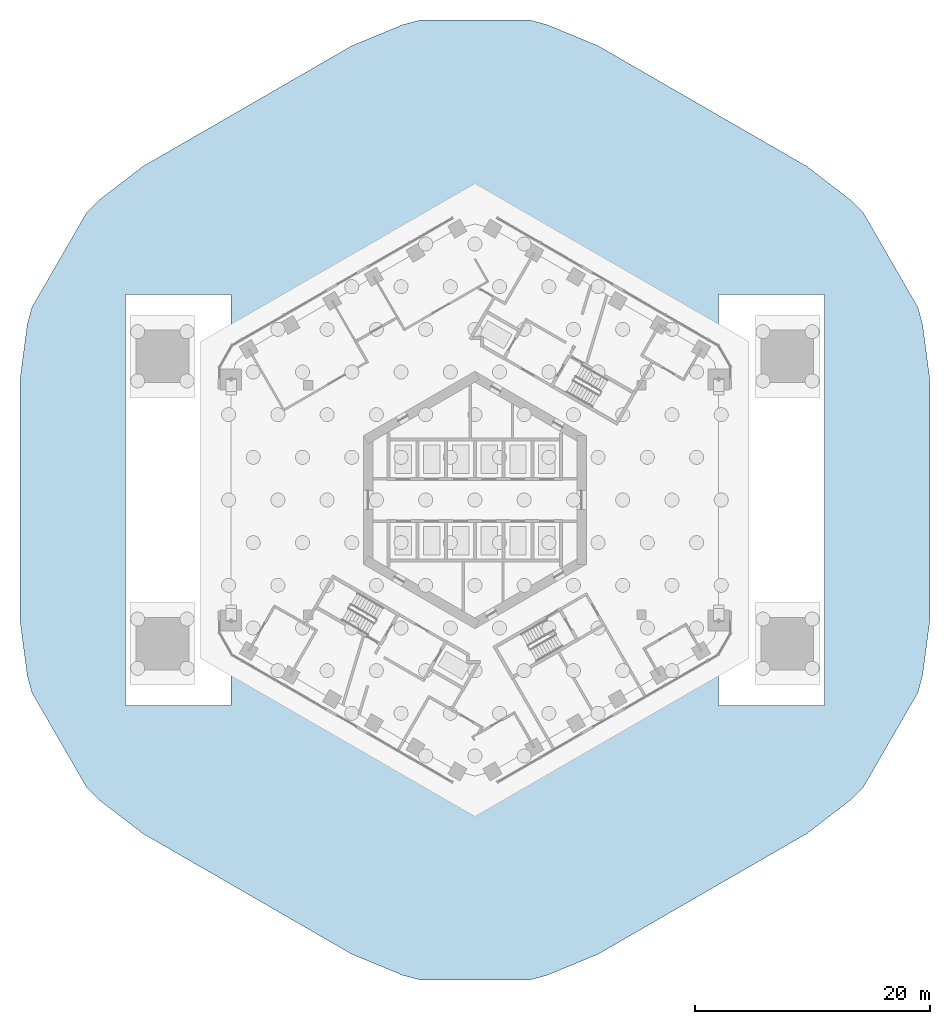
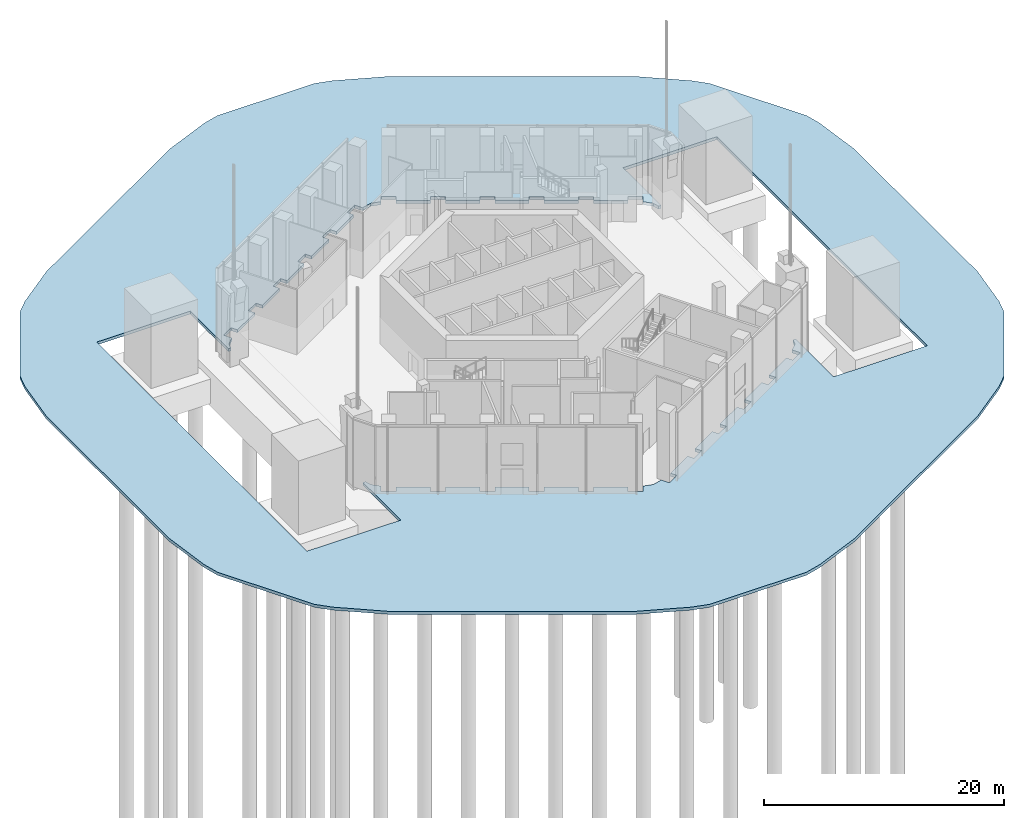
# One storey, part 7 of 18: 1 slab.
"""IFC4 building model written with IfcOpenShell, lengths in metres."""

from ifc_helpers import new_model, si_unit, direction, frame, origin, place, context, subcontext, project, spatial, polyline, outline, extrude, material, layer, layer_set, type_object, element, save


model = new_model("IFC4")

# Units and contexts
model_context = context("Model", 3, precision=1e-05, world=origin(), true_north=direction((0.0, 1.0)))
body_context = subcontext(model_context, "Body", "Model", "MODEL_VIEW")
ifc_project = project(units=[si_unit("LENGTHUNIT", "METRE"), si_unit("AREAUNIT", "SQUARE_METRE"), si_unit("VOLUMEUNIT", "CUBIC_METRE"), si_unit("PLANEANGLEUNIT", "RADIAN"), si_unit("MASSUNIT", "GRAM", prefix="KILO")], contexts=[model_context])

# Site, building, storey
site_placement = place(None, origin())
site = spatial("IfcSite", under=ifc_project, at=site_placement, CompositionType="ELEMENT")
building_placement = place(site_placement, origin())
building = spatial("IfcBuilding", under=site, at=building_placement, Name="Ayvan Gate Tower", CompositionType="ELEMENT")
storey_placement = place(building_placement, origin())
storey = spatial("IfcBuildingStorey", under=building, at=storey_placement, Name="L00", CompositionType="ELEMENT", Elevation=0.0)

# Slab
ifc_material = material(Name="Concrete C30/37 paving", Category="concrete")
ifc_layer = layer(ifc_material, 0.300048828125)
ifc_layer_set = layer_set([ifc_layer], Name="Concrete C30/37 paving")
slab_type = type_object("IfcSlabType", Name="Paving slab 300", PredefinedType="USERDEFINED", material=ifc_layer_set)
slab_placement = place(storey_placement, frame((0.0, 0.0, -0.300048828125)))
element("IfcSlab", 1, at=slab_placement, inside=storey, type_object=slab_type, Name="Plaza and concourse paving", ObjectType="PAVING", PredefinedType="USERDEFINED", context=body_context, shape_type="SweptSolid", body=[
    extrude(outline(polyline([(37.769287109375, 16.4267578125), (33.110595703125, 24.495849609375), (32.012451171875, 25.593994140625), (28.28466796875, 28.45458984375), (10.5, 38.722412109375), (6.15869140625, 40.520751953125), (4.65869140625, 40.922607421875), (-4.65869140625, 40.922607421875), (-6.15869140625, 40.520751953125), (-10.5, 38.722412109375), (-28.28466796875, 28.45458984375), (-32.012451171875, 25.593994140625), (-33.110595703125, 24.495849609375), (-37.769287109375, 16.4267578125), (-38.17138671875, 14.9267578125), (-38.78466796875, 10.26806640625), (-38.78466796875, -10.26806640625), (-38.17138671875, -14.9267578125), (-37.769287109375, -16.4267578125), (-33.110595703125, -24.495849609375), (-32.012451171875, -25.593994140625), (-28.28466796875, -28.45458984375), (-10.5, -38.722412109375), (-6.15869140625, -40.520751953125), (-4.65869140625, -40.922607421875), (4.65869140625, -40.922607421875), (6.15869140625, -40.520751953125), (10.5, -38.722412109375), (28.28466796875, -28.45458984375), (32.012451171875, -25.593994140625), (33.110595703125, -24.495849609375), (37.769287109375, -16.4267578125), (38.17138671875, -14.9267578125), (38.78466796875, -10.26806640625), (38.78466796875, 10.26806640625), (38.17138671875, 14.9267578125), (37.769287109375, 16.4267578125)]), holes=[polyline([(-1.26318359375, 23.963623046875), (-1.26416015625, 23.96533203125), (-1.265380859375, 23.966796875), (-1.2666015625, 23.96826171875), (-1.268310546875, 23.969482421875), (-1.269775390625, 23.970458984375), (-1.271484375, 23.971435546875), (-1.2734375, 23.972412109375), (-1.275146484375, 23.972900390625), (-1.277099609375, 23.973388671875), (-1.279052734375, 23.9736328125), (-1.281005859375, 23.9736328125), (-1.282958984375, 23.973388671875), (-1.284912109375, 23.97314453125), (-1.286865234375, 23.972412109375), (-1.28857421875, 23.971923828125), (-1.290283203125, 23.970947265625), (-2.32958984375, 23.370849609375), (-2.331298828125, 23.369873046875), (-2.332763671875, 23.36865234375), (-2.334228515625, 23.3671875), (-2.33544921875, 23.36572265625), (-2.336669921875, 23.3642578125), (-2.337646484375, 23.362548828125), (-2.33837890625, 23.360595703125), (-2.3388671875, 23.35888671875), (-2.33935546875, 23.35693359375), (-2.339599609375, 23.35498046875), (-2.339599609375, 23.35302734375), (-2.33935546875, 23.35107421875), (-2.339111328125, 23.34912109375), (-2.338623046875, 23.34716796875), (-2.337890625, 23.34521484375), (-2.3369140625, 23.343505859375), (-2.036865234375, 22.823974609375), (-4.52001953125, 21.390380859375), (-4.820068359375, 21.909912109375), (-4.821044921875, 21.91162109375), (-4.822265625, 21.9130859375), (-4.82373046875, 21.91455078125), (-4.8251953125, 21.915771484375), (-4.82666015625, 21.9169921875), (-4.828369140625, 21.91796875), (-4.830322265625, 21.918701171875), (-4.83203125, 21.91943359375), (-4.833984375, 21.919677734375), (-4.8359375, 21.919921875), (-4.837890625, 21.919921875), (-4.83984375, 21.919921875), (-4.841796875, 21.91943359375), (-4.84375, 21.9189453125), (-4.845458984375, 21.918212890625), (-4.847412109375, 21.917236328125), (-5.886474609375, 21.3173828125), (-5.88818359375, 21.316162109375), (-5.8896484375, 21.31494140625), (-5.89111328125, 21.313720703125), (-5.892333984375, 21.312255859375), (-5.8935546875, 21.310546875), (-5.89453125, 21.308837890625), (-5.895263671875, 21.30712890625), (-5.895751953125, 21.30517578125), (-5.896240234375, 21.30322265625), (-5.896484375, 21.30126953125), (-5.896484375, 21.29931640625), (-5.896484375, 21.29736328125), (-5.89599609375, 21.29541015625), (-5.8955078125, 21.29345703125), (-5.894775390625, 21.291748046875), (-5.893798828125, 21.2900390625), (-5.59375, 20.770263671875), (-8.076904296875, 19.3369140625), (-8.376953125, 19.8564453125), (-8.3779296875, 19.858154296875), (-8.379150390625, 19.859619140625), (-8.380615234375, 19.861083984375), (-8.382080078125, 19.8623046875), (-8.3837890625, 19.86328125), (-8.385498046875, 19.8642578125), (-8.38720703125, 19.865234375), (-8.38916015625, 19.86572265625), (-8.390869140625, 19.8662109375), (-8.392822265625, 19.866455078125), (-8.394775390625, 19.866455078125), (-8.396728515625, 19.8662109375), (-8.398681640625, 19.865966796875), (-8.400634765625, 19.865234375), (-8.402587890625, 19.86474609375), (-8.404296875, 19.86376953125), (-9.443359375, 19.263671875), (-9.445068359375, 19.2626953125), (-9.446533203125, 19.261474609375), (-9.447998046875, 19.260009765625), (-9.44921875, 19.258544921875), (-9.450439453125, 19.257080078125), (-9.451416015625, 19.25537109375), (-9.4521484375, 19.25341796875), (-9.452880859375, 19.25146484375), (-9.453125, 19.249755859375), (-9.453369140625, 19.247802734375), (-9.453369140625, 19.245849609375), (-9.453369140625, 19.243896484375), (-9.452880859375, 19.241943359375), (-9.452392578125, 19.239990234375), (-9.45166015625, 19.238037109375), (-9.45068359375, 19.236328125), (-9.15087890625, 18.716796875), (-11.6337890625, 17.283203125), (-11.933837890625, 17.802734375), (-11.934814453125, 17.804443359375), (-11.93603515625, 17.805908203125), (-11.9375, 17.807373046875), (-11.93896484375, 17.80859375), (-11.940673828125, 17.809814453125), (-11.9423828125, 17.810791015625), (-11.944091796875, 17.8115234375), (-11.946044921875, 17.812255859375), (-11.947998046875, 17.8125), (-11.949951171875, 17.812744140625), (-11.951904296875, 17.812744140625), (-11.953857421875, 17.812744140625), (-11.955810546875, 17.812255859375), (-11.95751953125, 17.811767578125), (-11.95947265625, 17.81103515625), (-11.961181640625, 17.81005859375), (-13.00048828125, 17.210205078125), (-13.001953125, 17.208984375), (-13.003662109375, 17.207763671875), (-13.0048828125, 17.20654296875), (-13.00634765625, 17.205078125), (-13.00732421875, 17.203369140625), (-13.00830078125, 17.20166015625), (-13.009033203125, 17.199951171875), (-13.009765625, 17.197998046875), (-13.010009765625, 17.196044921875), (-13.01025390625, 17.194091796875), (-13.01025390625, 17.192138671875), (-13.01025390625, 17.190185546875), (-13.009765625, 17.188232421875), (-13.00927734375, 17.186279296875), (-13.008544921875, 17.1845703125), (-13.0078125, 17.182861328125), (-12.707763671875, 16.6630859375), (-15.190673828125, 15.229736328125), (-15.49072265625, 15.749267578125), (-15.49169921875, 15.7509765625), (-15.492919921875, 15.75244140625), (-15.494384765625, 15.75390625), (-15.495849609375, 15.755126953125), (-15.49755859375, 15.756103515625), (-15.499267578125, 15.757080078125), (-15.5009765625, 15.758056640625), (-15.5029296875, 15.758544921875), (-15.5048828125, 15.759033203125), (-15.5068359375, 15.75927734375), (-15.5087890625, 15.75927734375), (-15.5107421875, 15.759033203125), (-15.5126953125, 15.7587890625), (-15.514404296875, 15.758056640625), (-15.516357421875, 15.757568359375), (-15.51806640625, 15.756591796875), (-16.557373046875, 15.156494140625), (-16.558837890625, 15.155517578125), (-16.560546875, 15.154296875), (-16.56201171875, 15.15283203125), (-16.563232421875, 15.1513671875), (-16.564208984375, 15.14990234375), (-16.565185546875, 15.148193359375), (-16.56591796875, 15.146240234375), (-16.566650390625, 15.144287109375), (-16.567138671875, 15.142578125), (-16.567138671875, 15.140625), (-16.5673828125, 15.138671875), (-16.567138671875, 15.13671875), (-16.56689453125, 15.134765625), (-16.566162109375, 15.1328125), (-16.5654296875, 15.130859375), (-16.564697265625, 15.129150390625), (-16.2646484375, 14.609619140625), (-18.74755859375, 13.176025390625), (-19.047607421875, 13.695556640625), (-19.048828125, 13.697265625), (-19.050048828125, 13.69873046875), (-19.05126953125, 13.7001953125), (-19.052734375, 13.701416015625), (-19.054443359375, 13.70263671875), (-19.05615234375, 13.70361328125), (-19.057861328125, 13.704345703125), (-19.059814453125, 13.705078125), (-19.061767578125, 13.705322265625), (-19.063720703125, 13.70556640625), (-19.065673828125, 13.70556640625), (-19.067626953125, 13.70556640625), (-19.069580078125, 13.705078125), (-19.071533203125, 13.70458984375), (-19.0732421875, 13.703857421875), (-19.074951171875, 13.702880859375), (-20.1142578125, 13.10302734375), (-20.115966796875, 13.101806640625), (-20.117431640625, 13.1005859375), (-20.118896484375, 13.099365234375), (-20.1201171875, 13.097900390625), (-20.12109375, 13.09619140625), (-20.1220703125, 13.094482421875), (-20.123046875, 13.0927734375), (-20.12353515625, 13.0908203125), (-20.1240234375, 13.0888671875), (-20.124267578125, 13.0869140625), (-20.124267578125, 13.0849609375), (-20.1240234375, 13.0830078125), (-20.123779296875, 13.0810546875), (-20.123046875, 13.0791015625), (-20.12255859375, 13.077392578125), (-20.12158203125, 13.07568359375), (-19.738525390625, 12.412109375), (-20.382568359375, 11.76806640625), (-20.5380859375, 11.18798828125), (-20.78466796875, 11.18798828125), (-20.78466796875, 17.5), (-29.78466796875, 17.5), (-29.78466796875, -17.5), (-20.78466796875, -17.5), (-20.78466796875, -11.18798828125), (-20.5380859375, -11.18798828125), (-20.382568359375, -11.76806640625), (-19.738525390625, -12.412109375), (-20.12158203125, -13.07568359375), (-20.12255859375, -13.077392578125), (-20.123046875, -13.0791015625), (-20.123779296875, -13.0810546875), (-20.1240234375, -13.0830078125), (-20.124267578125, -13.0849609375), (-20.124267578125, -13.0869140625), (-20.1240234375, -13.0888671875), (-20.12353515625, -13.0908203125), (-20.123046875, -13.0927734375), (-20.1220703125, -13.094482421875), (-20.12109375, -13.09619140625), (-20.1201171875, -13.097900390625), (-20.118896484375, -13.099365234375), (-20.117431640625, -13.1005859375), (-20.115966796875, -13.101806640625), (-20.1142578125, -13.10302734375), (-19.074951171875, -13.702880859375), (-19.0732421875, -13.703857421875), (-19.071533203125, -13.70458984375), (-19.069580078125, -13.705078125), (-19.067626953125, -13.70556640625), (-19.065673828125, -13.70556640625), (-19.063720703125, -13.70556640625), (-19.061767578125, -13.705322265625), (-19.059814453125, -13.705078125), (-19.057861328125, -13.704345703125), (-19.05615234375, -13.70361328125), (-19.054443359375, -13.70263671875), (-19.052734375, -13.701416015625), (-19.05126953125, -13.7001953125), (-19.050048828125, -13.69873046875), (-19.048828125, -13.697265625), (-19.047607421875, -13.695556640625), (-18.74755859375, -13.176025390625), (-16.2646484375, -14.609619140625), (-16.564697265625, -15.129150390625), (-16.5654296875, -15.130859375), (-16.566162109375, -15.1328125), (-16.56689453125, -15.134765625), (-16.567138671875, -15.13671875), (-16.5673828125, -15.138671875), (-16.567138671875, -15.140625), (-16.567138671875, -15.142578125), (-16.566650390625, -15.144287109375), (-16.56591796875, -15.146240234375), (-16.565185546875, -15.148193359375), (-16.564208984375, -15.14990234375), (-16.563232421875, -15.1513671875), (-16.56201171875, -15.15283203125), (-16.560546875, -15.154296875), (-16.558837890625, -15.155517578125), (-16.557373046875, -15.156494140625), (-15.51806640625, -15.756591796875), (-15.516357421875, -15.757568359375), (-15.514404296875, -15.758056640625), (-15.5126953125, -15.7587890625), (-15.5107421875, -15.759033203125), (-15.5087890625, -15.75927734375), (-15.5068359375, -15.75927734375), (-15.5048828125, -15.759033203125), (-15.5029296875, -15.758544921875), (-15.5009765625, -15.758056640625), (-15.499267578125, -15.757080078125), (-15.49755859375, -15.756103515625), (-15.495849609375, -15.755126953125), (-15.494384765625, -15.75390625), (-15.492919921875, -15.75244140625), (-15.49169921875, -15.7509765625), (-15.49072265625, -15.749267578125), (-15.190673828125, -15.229736328125), (-12.707763671875, -16.6630859375), (-13.0078125, -17.182861328125), (-13.008544921875, -17.1845703125), (-13.00927734375, -17.186279296875), (-13.009765625, -17.188232421875), (-13.01025390625, -17.190185546875), (-13.01025390625, -17.192138671875), (-13.01025390625, -17.194091796875), (-13.010009765625, -17.196044921875), (-13.009765625, -17.197998046875), (-13.009033203125, -17.199951171875), (-13.00830078125, -17.20166015625), (-13.00732421875, -17.203369140625), (-13.00634765625, -17.205078125), (-13.0048828125, -17.20654296875), (-13.003662109375, -17.207763671875), (-13.001953125, -17.208984375), (-13.00048828125, -17.210205078125), (-11.961181640625, -17.81005859375), (-11.95947265625, -17.81103515625), (-11.95751953125, -17.811767578125), (-11.955810546875, -17.812255859375), (-11.953857421875, -17.812744140625), (-11.951904296875, -17.812744140625), (-11.949951171875, -17.812744140625), (-11.947998046875, -17.8125), (-11.946044921875, -17.812255859375), (-11.944091796875, -17.8115234375), (-11.9423828125, -17.810791015625), (-11.940673828125, -17.809814453125), (-11.93896484375, -17.80859375), (-11.9375, -17.807373046875), (-11.93603515625, -17.805908203125), (-11.934814453125, -17.804443359375), (-11.933837890625, -17.802734375), (-11.6337890625, -17.283203125), (-9.15087890625, -18.716796875), (-9.45068359375, -19.236328125), (-9.45166015625, -19.238037109375), (-9.452392578125, -19.239990234375), (-9.452880859375, -19.241943359375), (-9.453369140625, -19.243896484375), (-9.453369140625, -19.245849609375), (-9.453369140625, -19.247802734375), (-9.453125, -19.249755859375), (-9.452880859375, -19.25146484375), (-9.4521484375, -19.25341796875), (-9.451416015625, -19.25537109375), (-9.450439453125, -19.257080078125), (-9.44921875, -19.258544921875), (-9.447998046875, -19.260009765625), (-9.446533203125, -19.261474609375), (-9.445068359375, -19.2626953125), (-9.443359375, -19.263671875), (-8.404296875, -19.86376953125), (-8.402587890625, -19.86474609375), (-8.400634765625, -19.865234375), (-8.398681640625, -19.865966796875), (-8.396728515625, -19.8662109375), (-8.394775390625, -19.866455078125), (-8.392822265625, -19.866455078125), (-8.390869140625, -19.8662109375), (-8.38916015625, -19.86572265625), (-8.38720703125, -19.865234375), (-8.385498046875, -19.8642578125), (-8.3837890625, -19.86328125), (-8.382080078125, -19.8623046875), (-8.380615234375, -19.861083984375), (-8.379150390625, -19.859619140625), (-8.3779296875, -19.858154296875), (-8.376953125, -19.8564453125), (-8.076904296875, -19.3369140625), (-5.59375, -20.770263671875), (-5.893798828125, -21.2900390625), (-5.894775390625, -21.291748046875), (-5.8955078125, -21.29345703125), (-5.89599609375, -21.29541015625), (-5.896484375, -21.29736328125), (-5.896484375, -21.29931640625), (-5.896484375, -21.30126953125), (-5.896240234375, -21.30322265625), (-5.895751953125, -21.30517578125), (-5.895263671875, -21.30712890625), (-5.89453125, -21.308837890625), (-5.8935546875, -21.310546875), (-5.892333984375, -21.312255859375), (-5.89111328125, -21.313720703125), (-5.8896484375, -21.31494140625), (-5.88818359375, -21.316162109375), (-5.886474609375, -21.3173828125), (-4.847412109375, -21.917236328125), (-4.845458984375, -21.918212890625), (-4.84375, -21.9189453125), (-4.841796875, -21.91943359375), (-4.83984375, -21.919921875), (-4.837890625, -21.919921875), (-4.8359375, -21.919921875), (-4.833984375, -21.919677734375), (-4.83203125, -21.91943359375), (-4.830322265625, -21.918701171875), (-4.828369140625, -21.91796875), (-4.82666015625, -21.9169921875), (-4.8251953125, -21.915771484375), (-4.82373046875, -21.91455078125), (-4.822265625, -21.9130859375), (-4.821044921875, -21.91162109375), (-4.820068359375, -21.909912109375), (-4.52001953125, -21.390380859375), (-2.036865234375, -22.823974609375), (-2.3369140625, -23.343505859375), (-2.337890625, -23.34521484375), (-2.338623046875, -23.34716796875), (-2.339111328125, -23.34912109375), (-2.33935546875, -23.35107421875), (-2.339599609375, -23.35302734375), (-2.339599609375, -23.35498046875), (-2.33935546875, -23.35693359375), (-2.3388671875, -23.35888671875), (-2.33837890625, -23.360595703125), (-2.337646484375, -23.362548828125), (-2.336669921875, -23.3642578125), (-2.33544921875, -23.36572265625), (-2.334228515625, -23.3671875), (-2.332763671875, -23.36865234375), (-2.331298828125, -23.369873046875), (-2.32958984375, -23.370849609375), (-1.290283203125, -23.970947265625), (-1.28857421875, -23.971923828125), (-1.286865234375, -23.972412109375), (-1.284912109375, -23.97314453125), (-1.282958984375, -23.973388671875), (-1.281005859375, -23.9736328125), (-1.279052734375, -23.9736328125), (-1.277099609375, -23.973388671875), (-1.275146484375, -23.972900390625), (-1.2734375, -23.972412109375), (-1.271484375, -23.971435546875), (-1.269775390625, -23.970458984375), (-1.268310546875, -23.969482421875), (-1.2666015625, -23.96826171875), (-1.265380859375, -23.966796875), (-1.26416015625, -23.96533203125), (-1.26318359375, -23.963623046875), (-0.8798828125, -23.300048828125), (0.0, -23.535888671875), (0.8798828125, -23.300048828125), (1.26318359375, -23.963623046875), (1.26416015625, -23.96533203125), (1.265380859375, -23.966796875), (1.2666015625, -23.96826171875), (1.268310546875, -23.969482421875), (1.269775390625, -23.970458984375), (1.271484375, -23.971435546875), (1.2734375, -23.972412109375), (1.275146484375, -23.972900390625), (1.277099609375, -23.973388671875), (1.279052734375, -23.9736328125), (1.281005859375, -23.9736328125), (1.282958984375, -23.973388671875), (1.284912109375, -23.97314453125), (1.286865234375, -23.972412109375), (1.28857421875, -23.971923828125), (1.290283203125, -23.970947265625), (2.32958984375, -23.370849609375), (2.331298828125, -23.369873046875), (2.332763671875, -23.36865234375), (2.334228515625, -23.3671875), (2.33544921875, -23.36572265625), (2.336669921875, -23.3642578125), (2.337646484375, -23.362548828125), (2.33837890625, -23.360595703125), (2.3388671875, -23.35888671875), (2.33935546875, -23.35693359375), (2.339599609375, -23.35498046875), (2.339599609375, -23.35302734375), (2.33935546875, -23.35107421875), (2.339111328125, -23.34912109375), (2.338623046875, -23.34716796875), (2.337890625, -23.34521484375), (2.3369140625, -23.343505859375), (2.036865234375, -22.823974609375), (4.52001953125, -21.390380859375), (4.820068359375, -21.909912109375), (4.821044921875, -21.91162109375), (4.822265625, -21.9130859375), (4.82373046875, -21.91455078125), (4.8251953125, -21.915771484375), (4.82666015625, -21.9169921875), (4.828369140625, -21.91796875), (4.830322265625, -21.918701171875), (4.83203125, -21.91943359375), (4.833984375, -21.919677734375), (4.8359375, -21.919921875), (4.837890625, -21.919921875), (4.83984375, -21.919921875), (4.841796875, -21.91943359375), (4.84375, -21.9189453125), (4.845458984375, -21.918212890625), (4.847412109375, -21.917236328125), (5.886474609375, -21.3173828125), (5.88818359375, -21.316162109375), (5.8896484375, -21.31494140625), (5.89111328125, -21.313720703125), (5.892333984375, -21.312255859375), (5.8935546875, -21.310546875), (5.89453125, -21.308837890625), (5.895263671875, -21.30712890625), (5.895751953125, -21.30517578125), (5.896240234375, -21.30322265625), (5.896484375, -21.30126953125), (5.896484375, -21.29931640625), (5.896484375, -21.29736328125), (5.89599609375, -21.29541015625), (5.8955078125, -21.29345703125), (5.894775390625, -21.291748046875), (5.893798828125, -21.2900390625), (5.59375, -20.770263671875), (8.076904296875, -19.3369140625), (8.376953125, -19.8564453125), (8.3779296875, -19.858154296875), (8.379150390625, -19.859619140625), (8.380615234375, -19.861083984375), (8.382080078125, -19.8623046875), (8.3837890625, -19.86328125), (8.385498046875, -19.8642578125), (8.38720703125, -19.865234375), (8.38916015625, -19.86572265625), (8.390869140625, -19.8662109375), (8.392822265625, -19.866455078125), (8.394775390625, -19.866455078125), (8.396728515625, -19.8662109375), (8.398681640625, -19.865966796875), (8.400634765625, -19.865234375), (8.402587890625, -19.86474609375), (8.404296875, -19.86376953125), (9.443359375, -19.263671875), (9.445068359375, -19.2626953125), (9.446533203125, -19.261474609375), (9.447998046875, -19.260009765625), (9.44921875, -19.258544921875), (9.450439453125, -19.257080078125), (9.451416015625, -19.25537109375), (9.4521484375, -19.25341796875), (9.452880859375, -19.25146484375), (9.453125, -19.249755859375), (9.453369140625, -19.247802734375), (9.453369140625, -19.245849609375), (9.453369140625, -19.243896484375), (9.452880859375, -19.241943359375), (9.452392578125, -19.239990234375), (9.45166015625, -19.238037109375), (9.45068359375, -19.236328125), (9.15087890625, -18.716796875), (11.6337890625, -17.283203125), (11.933837890625, -17.802734375), (11.934814453125, -17.804443359375), (11.93603515625, -17.805908203125), (11.9375, -17.807373046875), (11.93896484375, -17.80859375), (11.940673828125, -17.809814453125), (11.9423828125, -17.810791015625), (11.944091796875, -17.8115234375), (11.946044921875, -17.812255859375), (11.947998046875, -17.8125), (11.949951171875, -17.812744140625), (11.951904296875, -17.812744140625), (11.953857421875, -17.812744140625), (11.955810546875, -17.812255859375), (11.95751953125, -17.811767578125), (11.95947265625, -17.81103515625), (11.961181640625, -17.81005859375), (13.00048828125, -17.210205078125), (13.001953125, -17.208984375), (13.003662109375, -17.207763671875), (13.0048828125, -17.20654296875), (13.00634765625, -17.205078125), (13.00732421875, -17.203369140625), (13.00830078125, -17.20166015625), (13.009033203125, -17.199951171875), (13.009765625, -17.197998046875), (13.010009765625, -17.196044921875), (13.01025390625, -17.194091796875), (13.01025390625, -17.192138671875), (13.01025390625, -17.190185546875), (13.009765625, -17.188232421875), (13.00927734375, -17.186279296875), (13.008544921875, -17.1845703125), (13.0078125, -17.182861328125), (12.707763671875, -16.6630859375), (15.190673828125, -15.229736328125), (15.49072265625, -15.749267578125), (15.49169921875, -15.7509765625), (15.492919921875, -15.75244140625), (15.494384765625, -15.75390625), (15.495849609375, -15.755126953125), (15.49755859375, -15.756103515625), (15.499267578125, -15.757080078125), (15.5009765625, -15.758056640625), (15.5029296875, -15.758544921875), (15.5048828125, -15.759033203125), (15.5068359375, -15.75927734375), (15.5087890625, -15.75927734375), (15.5107421875, -15.759033203125), (15.5126953125, -15.7587890625), (15.514404296875, -15.758056640625), (15.516357421875, -15.757568359375), (15.51806640625, -15.756591796875), (16.557373046875, -15.156494140625), (16.558837890625, -15.155517578125), (16.560546875, -15.154296875), (16.56201171875, -15.15283203125), (16.563232421875, -15.1513671875), (16.564208984375, -15.14990234375), (16.565185546875, -15.148193359375), (16.56591796875, -15.146240234375), (16.566650390625, -15.144287109375), (16.567138671875, -15.142578125), (16.567138671875, -15.140625), (16.5673828125, -15.138671875), (16.567138671875, -15.13671875), (16.56689453125, -15.134765625), (16.566162109375, -15.1328125), (16.5654296875, -15.130859375), (16.564697265625, -15.129150390625), (16.2646484375, -14.609619140625), (18.74755859375, -13.176025390625), (19.047607421875, -13.695556640625), (19.048828125, -13.697265625), (19.050048828125, -13.69873046875), (19.05126953125, -13.7001953125), (19.052734375, -13.701416015625), (19.054443359375, -13.70263671875), (19.05615234375, -13.70361328125), (19.057861328125, -13.704345703125), (19.059814453125, -13.705078125), (19.061767578125, -13.705322265625), (19.063720703125, -13.70556640625), (19.065673828125, -13.70556640625), (19.067626953125, -13.70556640625), (19.069580078125, -13.705078125), (19.071533203125, -13.70458984375), (19.0732421875, -13.703857421875), (19.074951171875, -13.702880859375), (20.1142578125, -13.10302734375), (20.115966796875, -13.101806640625), (20.117431640625, -13.1005859375), (20.118896484375, -13.099365234375), (20.1201171875, -13.097900390625), (20.12109375, -13.09619140625), (20.1220703125, -13.094482421875), (20.123046875, -13.0927734375), (20.12353515625, -13.0908203125), (20.1240234375, -13.0888671875), (20.124267578125, -13.0869140625), (20.124267578125, -13.0849609375), (20.1240234375, -13.0830078125), (20.123779296875, -13.0810546875), (20.123046875, -13.0791015625), (20.12255859375, -13.077392578125), (20.12158203125, -13.07568359375), (19.738525390625, -12.412109375), (20.382568359375, -11.76806640625), (20.5380859375, -11.18798828125), (20.78466796875, -11.18798828125), (20.78466796875, -17.5), (29.78466796875, -17.5), (29.78466796875, 17.5), (20.78466796875, 17.5), (20.78466796875, 11.18798828125), (20.5380859375, 11.18798828125), (20.382568359375, 11.76806640625), (19.738525390625, 12.412109375), (20.12158203125, 13.07568359375), (20.12255859375, 13.077392578125), (20.123046875, 13.0791015625), (20.123779296875, 13.0810546875), (20.1240234375, 13.0830078125), (20.124267578125, 13.0849609375), (20.124267578125, 13.0869140625), (20.1240234375, 13.0888671875), (20.12353515625, 13.0908203125), (20.123046875, 13.0927734375), (20.1220703125, 13.094482421875), (20.12109375, 13.09619140625), (20.1201171875, 13.097900390625), (20.118896484375, 13.099365234375), (20.117431640625, 13.1005859375), (20.115966796875, 13.101806640625), (20.1142578125, 13.10302734375), (19.074951171875, 13.702880859375), (19.0732421875, 13.703857421875), (19.071533203125, 13.70458984375), (19.069580078125, 13.705078125), (19.067626953125, 13.70556640625), (19.065673828125, 13.70556640625), (19.063720703125, 13.70556640625), (19.061767578125, 13.705322265625), (19.059814453125, 13.705078125), (19.057861328125, 13.704345703125), (19.05615234375, 13.70361328125), (19.054443359375, 13.70263671875), (19.052734375, 13.701416015625), (19.05126953125, 13.7001953125), (19.050048828125, 13.69873046875), (19.048828125, 13.697265625), (19.047607421875, 13.695556640625), (18.74755859375, 13.176025390625), (16.2646484375, 14.609619140625), (16.564697265625, 15.129150390625), (16.5654296875, 15.130859375), (16.566162109375, 15.1328125), (16.56689453125, 15.134765625), (16.567138671875, 15.13671875), (16.5673828125, 15.138671875), (16.567138671875, 15.140625), (16.567138671875, 15.142578125), (16.566650390625, 15.144287109375), (16.56591796875, 15.146240234375), (16.565185546875, 15.148193359375), (16.564208984375, 15.14990234375), (16.563232421875, 15.1513671875), (16.56201171875, 15.15283203125), (16.560546875, 15.154296875), (16.558837890625, 15.155517578125), (16.557373046875, 15.156494140625), (15.51806640625, 15.756591796875), (15.516357421875, 15.757568359375), (15.514404296875, 15.758056640625), (15.5126953125, 15.7587890625), (15.5107421875, 15.759033203125), (15.5087890625, 15.75927734375), (15.5068359375, 15.75927734375), (15.5048828125, 15.759033203125), (15.5029296875, 15.758544921875), (15.5009765625, 15.758056640625), (15.499267578125, 15.757080078125), (15.49755859375, 15.756103515625), (15.495849609375, 15.755126953125), (15.494384765625, 15.75390625), (15.492919921875, 15.75244140625), (15.49169921875, 15.7509765625), (15.49072265625, 15.749267578125), (15.190673828125, 15.229736328125), (12.707763671875, 16.6630859375), (13.0078125, 17.182861328125), (13.008544921875, 17.1845703125), (13.00927734375, 17.186279296875), (13.009765625, 17.188232421875), (13.01025390625, 17.190185546875), (13.01025390625, 17.192138671875), (13.01025390625, 17.194091796875), (13.010009765625, 17.196044921875), (13.009765625, 17.197998046875), (13.009033203125, 17.199951171875), (13.00830078125, 17.20166015625), (13.00732421875, 17.203369140625), (13.00634765625, 17.205078125), (13.0048828125, 17.20654296875), (13.003662109375, 17.207763671875), (13.001953125, 17.208984375), (13.00048828125, 17.210205078125), (11.961181640625, 17.81005859375), (11.95947265625, 17.81103515625), (11.95751953125, 17.811767578125), (11.955810546875, 17.812255859375), (11.953857421875, 17.812744140625), (11.951904296875, 17.812744140625), (11.949951171875, 17.812744140625), (11.947998046875, 17.8125), (11.946044921875, 17.812255859375), (11.944091796875, 17.8115234375), (11.9423828125, 17.810791015625), (11.940673828125, 17.809814453125), (11.93896484375, 17.80859375), (11.9375, 17.807373046875), (11.93603515625, 17.805908203125), (11.934814453125, 17.804443359375), (11.933837890625, 17.802734375), (11.6337890625, 17.283203125), (9.15087890625, 18.716796875), (9.45068359375, 19.236328125), (9.45166015625, 19.238037109375), (9.452392578125, 19.239990234375), (9.452880859375, 19.241943359375), (9.453369140625, 19.243896484375), (9.453369140625, 19.245849609375), (9.453369140625, 19.247802734375), (9.453125, 19.249755859375), (9.452880859375, 19.25146484375), (9.4521484375, 19.25341796875), (9.451416015625, 19.25537109375), (9.450439453125, 19.257080078125), (9.44921875, 19.258544921875), (9.447998046875, 19.260009765625), (9.446533203125, 19.261474609375), (9.445068359375, 19.2626953125), (9.443359375, 19.263671875), (8.404296875, 19.86376953125), (8.402587890625, 19.86474609375), (8.400634765625, 19.865234375), (8.398681640625, 19.865966796875), (8.396728515625, 19.8662109375), (8.394775390625, 19.866455078125), (8.392822265625, 19.866455078125), (8.390869140625, 19.8662109375), (8.38916015625, 19.86572265625), (8.38720703125, 19.865234375), (8.385498046875, 19.8642578125), (8.3837890625, 19.86328125), (8.382080078125, 19.8623046875), (8.380615234375, 19.861083984375), (8.379150390625, 19.859619140625), (8.3779296875, 19.858154296875), (8.376953125, 19.8564453125), (8.076904296875, 19.3369140625), (5.59375, 20.770263671875), (5.893798828125, 21.2900390625), (5.894775390625, 21.291748046875), (5.8955078125, 21.29345703125), (5.89599609375, 21.29541015625), (5.896484375, 21.29736328125), (5.896484375, 21.29931640625), (5.896484375, 21.30126953125), (5.896240234375, 21.30322265625), (5.895751953125, 21.30517578125), (5.895263671875, 21.30712890625), (5.89453125, 21.308837890625), (5.8935546875, 21.310546875), (5.892333984375, 21.312255859375), (5.89111328125, 21.313720703125), (5.8896484375, 21.31494140625), (5.88818359375, 21.316162109375), (5.886474609375, 21.3173828125), (4.847412109375, 21.917236328125), (4.845458984375, 21.918212890625), (4.84375, 21.9189453125), (4.841796875, 21.91943359375), (4.83984375, 21.919921875), (4.837890625, 21.919921875), (4.8359375, 21.919921875), (4.833984375, 21.919677734375), (4.83203125, 21.91943359375), (4.830322265625, 21.918701171875), (4.828369140625, 21.91796875), (4.82666015625, 21.9169921875), (4.8251953125, 21.915771484375), (4.82373046875, 21.91455078125), (4.822265625, 21.9130859375), (4.821044921875, 21.91162109375), (4.820068359375, 21.909912109375), (4.52001953125, 21.390380859375), (2.036865234375, 22.823974609375), (2.3369140625, 23.343505859375), (2.337890625, 23.34521484375), (2.338623046875, 23.34716796875), (2.339111328125, 23.34912109375), (2.33935546875, 23.35107421875), (2.339599609375, 23.35302734375), (2.339599609375, 23.35498046875), (2.33935546875, 23.35693359375), (2.3388671875, 23.35888671875), (2.33837890625, 23.360595703125), (2.337646484375, 23.362548828125), (2.336669921875, 23.3642578125), (2.33544921875, 23.36572265625), (2.334228515625, 23.3671875), (2.332763671875, 23.36865234375), (2.331298828125, 23.369873046875), (2.32958984375, 23.370849609375), (1.290283203125, 23.970947265625), (1.28857421875, 23.971923828125), (1.286865234375, 23.972412109375), (1.284912109375, 23.97314453125), (1.282958984375, 23.973388671875), (1.281005859375, 23.9736328125), (1.279052734375, 23.9736328125), (1.277099609375, 23.973388671875), (1.275146484375, 23.972900390625), (1.2734375, 23.972412109375), (1.271484375, 23.971435546875), (1.269775390625, 23.970458984375), (1.268310546875, 23.969482421875), (1.2666015625, 23.96826171875), (1.265380859375, 23.966796875), (1.26416015625, 23.96533203125), (1.26318359375, 23.963623046875), (0.8798828125, 23.300048828125), (0.0, 23.535888671875), (-0.8798828125, 23.300048828125), (-1.26318359375, 23.963623046875)])]), origin(), (0.0, 0.0, 1.0), 0.300048828125),
])

save(model, "model.ifc")
